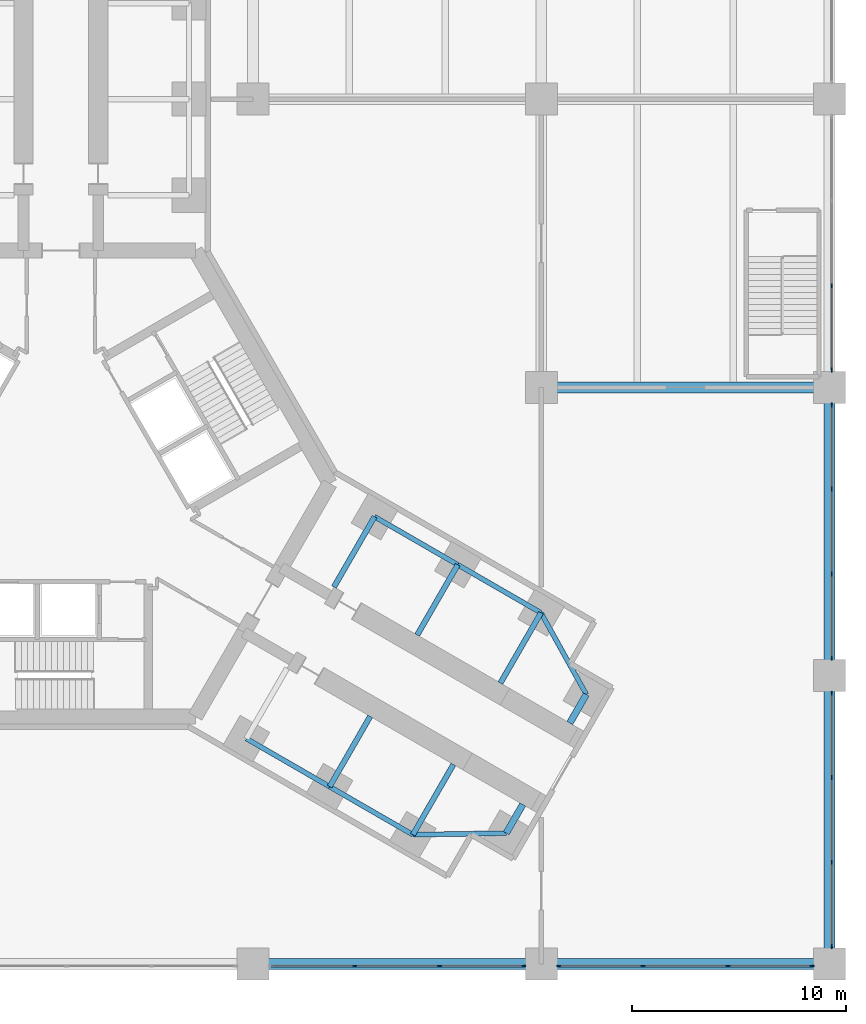
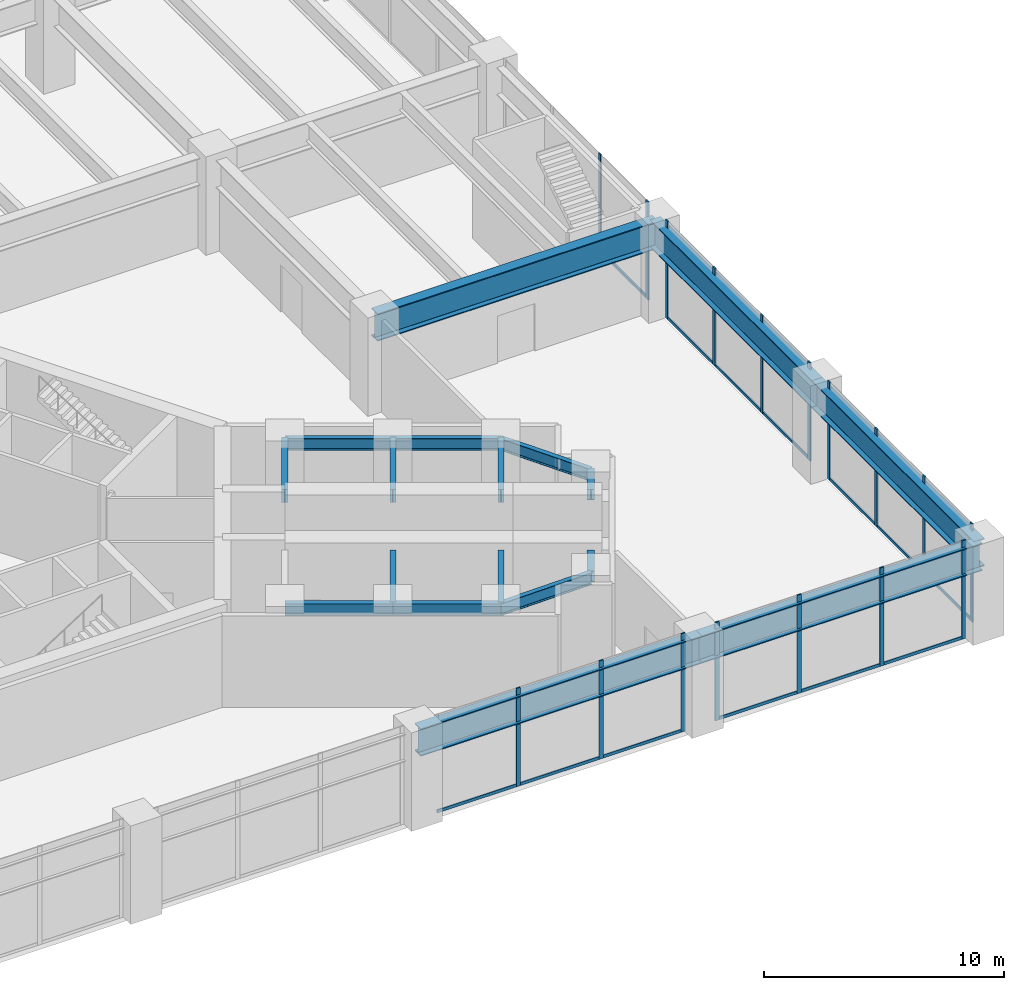
# One storey, part 10 of 32: 30 members, 18 beams, 5 elements without a shape of their own.
"""IFC4 building model written with IfcOpenShell, lengths in metres."""

from ifc_helpers import new_model, si_unit, direction, frame, origin, origin_2d, place, context, subcontext, project, spatial, rectangle, i_section, extrude, material, material_profile, profile_set, type_object, element, aggregate, save


model = new_model("IFC4")

# Units and contexts
model_context = context("Model", 3, precision=1e-05, world=origin(), true_north=direction((0.0, 1.0)))
body_context = subcontext(model_context, "Body", "Model", "MODEL_VIEW")
ifc_project = project(units=[si_unit("LENGTHUNIT", "METRE"), si_unit("AREAUNIT", "SQUARE_METRE"), si_unit("VOLUMEUNIT", "CUBIC_METRE"), si_unit("PLANEANGLEUNIT", "RADIAN"), si_unit("MASSUNIT", "GRAM", prefix="KILO")], contexts=[model_context])

# Site, building, storey
site_placement = place(None, origin())
site = spatial("IfcSite", under=ifc_project, at=site_placement, CompositionType="ELEMENT")
building_placement = place(site_placement, origin())
building = spatial("IfcBuilding", under=site, at=building_placement, Name="Upepo Twin Towers", CompositionType="ELEMENT")
storey_placement = place(building_placement, frame((0.0, 0.0, 10.5)))
storey = spatial("IfcBuildingStorey", under=building, at=storey_placement, Name="L02", CompositionType="ELEMENT", Elevation=10.5)

# Beams
ifc_material_1 = material(Name="Steel S355", Category="steel")
ifc_material_profile_1 = material_profile(ifc_material_1, i_section(OverallWidth=0.5, OverallDepth=1.39990234375, WebThickness=0.02490234375, FlangeThickness=0.050048828125, FilletRadius=0.008056640625, at=origin_2d()), Name="PG 1400x500x25x50")
ifc_profile_set_1 = profile_set([ifc_material_profile_1], Name="Steel S355")
beam_type_1 = type_object("IfcBeamType", Name="Beam PG 1400x500x25x50", PredefinedType="BEAM", material=ifc_profile_set_1)
for number, where, z_axis, x_axis, name in (
    (1, (67.5, -40.5, 3.949951171875), (1.0, 0.0, 0.0), (0.0, 1.0, 0.0), "Podium girder A/8-9"),
    (2, (81.0, -40.5, 3.949951171875), (1.0, 0.0, 0.0), (0.0, 1.0, 0.0), "Podium girder A/9-10"),
    (3, (81.0, -13.5, 3.949951171875), (1.0, 0.0, 0.0), (0.0, 1.0, 0.0), "Podium girder C/9-10"),
    (4, (94.5, -40.5, 3.949951171875), (0.0, 1.0, 0.0), (-1.0, 0.0, 0.0), "Podium girder 10/A-B"),
    (5, (94.5, -27.0, 3.949951171875), (0.0, 1.0, 0.0), (-1.0, 0.0, 0.0), "Podium girder 10/B-C"),
):
    element("IfcBeam", number, at=place(storey_placement, frame(where, z_axis=z_axis, x_axis=x_axis)), inside=storey, type_object=beam_type_1, Name=name, PredefinedType="BEAM", context=body_context, shape_type="SweptSolid", body=[
        extrude(i_section(OverallWidth=0.5, OverallDepth=1.39990234375, WebThickness=0.02490234375, FlangeThickness=0.050048828125, FilletRadius=0.008056640625, at=origin_2d()), origin(), (0.0, 0.0, 1.0), 13.5),
    ])
ifc_material_2 = material(Name="Steel S355", Category="steel")
ifc_material_profile_2 = material_profile(ifc_material_2, i_section(OverallWidth=0.31201171875, OverallDepth=0.54345703125, WebThickness=0.0126953125, FlangeThickness=0.020263671875, FilletRadius=0.0126953125, at=origin_2d()), Name="UB 533x312x150")
ifc_profile_set_2 = profile_set([ifc_material_profile_2], Name="Steel S355")
beam_type_2 = type_object("IfcBeamType", Name="Beam UB 533x312x150", PredefinedType="BEAM", material=ifc_profile_set_2)
for number, where, z_axis, x_axis, name in (
    (6, (83.108154296875, -27.87744140625, 4.378173828125), (-0.499967891604, -0.866043940782, 0.0), (0.866043940782, -0.499967891604, 0.0), "T2 nose beam CL"),
    (7, (79.358154296875, -34.37255859375, 4.378173828125), (0.499967891604, 0.866043940782, 0.0), (-0.866043940782, 0.499967891604, 0.0), "T2 nose beam CR"),
):
    element("IfcBeam", number, at=place(storey_placement, frame(where, z_axis=z_axis, x_axis=x_axis)), inside=storey, type_object=beam_type_2, Name=name, PredefinedType="BEAM", context=body_context, shape_type="SweptSolid", body=[
        extrude(i_section(OverallWidth=0.31201171875, OverallDepth=0.54345703125, WebThickness=0.0126953125, FlangeThickness=0.020263671875, FilletRadius=0.0126953125, at=origin_2d()), origin(), (0.0, 0.0, 1.0), 1.5498046875),
    ])
ifc_material_3 = material(Name="Steel S355", Category="steel")
ifc_material_profile_3 = material_profile(ifc_material_3, i_section(OverallWidth=0.228271484375, OverallDepth=0.607666015625, WebThickness=0.010986328125, FlangeThickness=0.017333984375, FilletRadius=0.0126953125, at=origin_2d()), Name="UB 610x229x113")
ifc_profile_set_3 = profile_set([ifc_material_profile_3], Name="Steel S355")
beam_type_3 = type_object("IfcBeamType", Name="Beam UB 610x229x113", PredefinedType="BEAM", material=ifc_profile_set_3)
beam_1_placement = place(storey_placement, frame((73.19140625, -19.553955078125, 4.34619140625), z_axis=(0.866017533419, -0.500013631625, 0.0), x_axis=(0.500013631625, 0.866017533419, 0.0)))
element("IfcBeam", 8, at=beam_1_placement, inside=storey, type_object=beam_type_3, Name="T2 edge beam CL 13.5-18.0", PredefinedType="BEAM", context=body_context, shape_type="SweptSolid", body=[
    extrude(i_section(OverallWidth=0.228271484375, OverallDepth=0.607666015625, WebThickness=0.010986328125, FlangeThickness=0.017333984375, FilletRadius=0.0126953125, at=origin_2d()), origin(), (0.0, 0.0, 1.0), 4.499755859375),
])
beam_2_placement = place(storey_placement, frame((77.08837890625, -21.803955078125, 4.34619140625), z_axis=(0.866031096941, -0.499990139034, 0.0), x_axis=(0.499990139034, 0.866031096941, 0.0)))
element("IfcBeam", 9, at=beam_2_placement, inside=storey, type_object=beam_type_3, Name="T2 edge beam CL 18.0-22.5", PredefinedType="BEAM", context=body_context, shape_type="SweptSolid", body=[
    extrude(i_section(OverallWidth=0.228271484375, OverallDepth=0.607666015625, WebThickness=0.010986328125, FlangeThickness=0.017333984375, FilletRadius=0.0126953125, at=origin_2d()), origin(), (0.0, 0.0, 1.0), 4.5),
])
beam_3_placement = place(storey_placement, frame((80.985595703125, -24.053955078125, 4.34619140625), z_axis=(0.485363242752, -0.874312600038, 0.0), x_axis=(0.874312600038, 0.485363242752, 0.0)))
element("IfcBeam", 10, at=beam_3_placement, inside=storey, type_object=beam_type_3, Name="T2 nose edge beam CL", PredefinedType="BEAM", context=body_context, shape_type="SweptSolid", body=[
    extrude(i_section(OverallWidth=0.228271484375, OverallDepth=0.607666015625, WebThickness=0.010986328125, FlangeThickness=0.017333984375, FilletRadius=0.0126953125, at=origin_2d()), origin(), (0.0, 0.0, 1.0), 4.373046875),
])
beam_4_placement = place(storey_placement, frame((67.19140625, -29.946044921875, 4.34619140625), z_axis=(0.866017533419, -0.500013631625, 0.0), x_axis=(0.500013631625, 0.866017533419, 0.0)))
element("IfcBeam", 11, at=beam_4_placement, inside=storey, type_object=beam_type_3, Name="T2 edge beam CR 13.5-18.0", PredefinedType="BEAM", context=body_context, shape_type="SweptSolid", body=[
    extrude(i_section(OverallWidth=0.228271484375, OverallDepth=0.607666015625, WebThickness=0.010986328125, FlangeThickness=0.017333984375, FilletRadius=0.0126953125, at=origin_2d()), origin(), (0.0, 0.0, 1.0), 4.499755859375),
])
beam_5_placement = place(storey_placement, frame((71.08837890625, -32.196044921875, 4.34619140625), z_axis=(0.866031096941, -0.499990139034, 0.0), x_axis=(0.499990139034, 0.866031096941, 0.0)))
element("IfcBeam", 12, at=beam_5_placement, inside=storey, type_object=beam_type_3, Name="T2 edge beam CR 18.0-22.5", PredefinedType="BEAM", context=body_context, shape_type="SweptSolid", body=[
    extrude(i_section(OverallWidth=0.228271484375, OverallDepth=0.607666015625, WebThickness=0.010986328125, FlangeThickness=0.017333984375, FilletRadius=0.0126953125, at=origin_2d()), origin(), (0.0, 0.0, 1.0), 4.5),
])
beam_6_placement = place(storey_placement, frame((74.985595703125, -34.446044921875, 4.34619140625), z_axis=(0.999858804832, 0.016803880528, 0.0), x_axis=(-0.016803880528, 0.999858804832, 0.0)))
element("IfcBeam", 13, at=beam_6_placement, inside=storey, type_object=beam_type_3, Name="T2 nose edge beam CR", PredefinedType="BEAM", context=body_context, shape_type="SweptSolid", body=[
    extrude(i_section(OverallWidth=0.228271484375, OverallDepth=0.607666015625, WebThickness=0.010986328125, FlangeThickness=0.017333984375, FilletRadius=0.0126953125, at=origin_2d()), origin(), (0.0, 0.0, 1.0), 4.373291015625),
])
ifc_material_4 = material(Name="Steel S355", Category="steel")
ifc_material_profile_4 = material_profile(ifc_material_4, i_section(OverallWidth=0.253662109375, OverallDepth=0.68359375, WebThickness=0.012451171875, FlangeThickness=0.01904296875, FilletRadius=0.01513671875, at=origin_2d()), Name="UB 686x254x140")
ifc_profile_set_4 = profile_set([ifc_material_profile_4], Name="Steel S355")
beam_type_4 = type_object("IfcBeamType", Name="Beam UB 686x254x140", PredefinedType="BEAM", material=ifc_profile_set_4)
beam_7_placement = place(storey_placement, frame((73.19140625, -19.553955078125, 4.308349609375), z_axis=(-0.500043160704, -0.866000483506, 0.0), x_axis=(0.866000483506, -0.500043160704, 0.0)))
element("IfcBeam", 14, at=beam_7_placement, inside=storey, type_object=beam_type_4, Name="T2 girder CL at 13.5", PredefinedType="BEAM", context=body_context, shape_type="SweptSolid", body=[
    extrude(i_section(OverallWidth=0.253662109375, OverallDepth=0.68359375, WebThickness=0.012451171875, FlangeThickness=0.01904296875, FilletRadius=0.01513671875, at=origin_2d()), origin(), (0.0, 0.0, 1.0), 3.800048828125),
])
for number, where, z_axis, x_axis, name in (
    (15, (77.08837890625, -21.803955078125, 4.308349609375), (-0.499994975061, -0.866028304915, 0.0), (0.866028304915, -0.499994975061, 0.0), "T2 girder CL at 18.0"),
    (16, (80.985595703125, -24.053955078125, 4.308349609375), (-0.499994975061, -0.866028304915, 0.0), (0.866028304915, -0.499994975061, 0.0), "T2 girder CL at 22.5"),
):
    element("IfcBeam", number, at=place(storey_placement, frame(where, z_axis=z_axis, x_axis=x_axis)), inside=storey, type_object=beam_type_4, Name=name, PredefinedType="BEAM", context=body_context, shape_type="SweptSolid", body=[
        extrude(i_section(OverallWidth=0.253662109375, OverallDepth=0.68359375, WebThickness=0.012451171875, FlangeThickness=0.01904296875, FilletRadius=0.01513671875, at=origin_2d()), origin(), (0.0, 0.0, 1.0), 3.7998046875),
    ])
beam_8_placement = place(storey_placement, frame((71.08837890625, -32.196044921875, 4.308349609375), z_axis=(0.500043160704, 0.866000483506, 0.0), x_axis=(-0.866000483506, 0.500043160704, 0.0)))
element("IfcBeam", 17, at=beam_8_placement, inside=storey, type_object=beam_type_4, Name="T2 girder CR at 18.0", PredefinedType="BEAM", context=body_context, shape_type="SweptSolid", body=[
    extrude(i_section(OverallWidth=0.253662109375, OverallDepth=0.68359375, WebThickness=0.012451171875, FlangeThickness=0.01904296875, FilletRadius=0.01513671875, at=origin_2d()), origin(), (0.0, 0.0, 1.0), 3.800048828125),
])
beam_9_placement = place(storey_placement, frame((74.985595703125, -34.446044921875, 4.308349609375), z_axis=(0.499994975061, 0.866028304915, 0.0), x_axis=(-0.866028304915, 0.499994975061, 0.0)))
element("IfcBeam", 18, at=beam_9_placement, inside=storey, type_object=beam_type_4, Name="T2 girder CR at 22.5", PredefinedType="BEAM", context=body_context, shape_type="SweptSolid", body=[
    extrude(i_section(OverallWidth=0.253662109375, OverallDepth=0.68359375, WebThickness=0.012451171875, FlangeThickness=0.01904296875, FilletRadius=0.01513671875, at=origin_2d()), origin(), (0.0, 0.0, 1.0), 3.7998046875),
])

# Curtain wall, members
ifc_material_5 = material(Name="Aluminium and clear glass", Category="aluminium")
curtain_wall_type = type_object("IfcCurtainWallType", Name="Podium curtain wall PW1", PredefinedType="NOTDEFINED", material=ifc_material_5)
curtain_wall_1_placement = place(storey_placement, origin())
curtain_wall_1 = element("IfcCurtainWall", 19, at=curtain_wall_1_placement, inside=storey, type_object=curtain_wall_type, Name="Podium L02 curtain wall S8", PredefinedType="NOTDEFINED")
ifc_material_6 = material(Name="Aluminium mullion", Category="aluminium")
ifc_material_profile_5 = material_profile(ifc_material_6, rectangle(XDim=0.06494140625, YDim=0.199951171875, at=origin_2d()), Name="MULLION 65x200 PODIUM")
ifc_profile_set_5 = profile_set([ifc_material_profile_5], Name="Aluminium mullion")
member_type_1 = type_object("IfcMemberType", Name="Mullion 65x200 PW1", PredefinedType="MULLION", material=ifc_profile_set_5)
member_1_placement = place(storey_placement, frame((72.26171875, -40.60009765625, 0.0), z_axis=(0.0, 0.0, 1.0), x_axis=(0.0, 1.0, 0.0)))
member_1 = element("IfcMember", 20, at=member_1_placement, type_object=member_type_1, Name="Podium L02 curtain wall S8 mullion 2", PredefinedType="MULLION", context=body_context, shape_type="SweptSolid", body=[
    extrude(rectangle(XDim=0.06494140625, YDim=0.199951171875, at=origin_2d()), origin(), (0.0, 0.0, 1.0), 5.0),
])
member_2_placement = place(storey_placement, frame((76.23828125, -40.60009765625, 0.0), z_axis=(0.0, 0.0, 1.0), x_axis=(0.0, 1.0, 0.0)))
member_2 = element("IfcMember", 21, at=member_2_placement, type_object=member_type_1, Name="Podium L02 curtain wall S8 mullion 3", PredefinedType="MULLION", context=body_context, shape_type="SweptSolid", body=[
    extrude(rectangle(XDim=0.06494140625, YDim=0.199951171875, at=origin_2d()), origin(), (0.0, 0.0, 1.0), 5.0),
])
member_3_placement = place(storey_placement, frame((80.1826171875, -40.60009765625, 0.0), z_axis=(0.0, 0.0, 1.0), x_axis=(0.0, 1.0, 0.0)))
member_3 = element("IfcMember", 22, at=member_3_placement, type_object=member_type_1, Name="Podium L02 curtain wall S8 mullion 4", PredefinedType="MULLION", context=body_context, shape_type="SweptSolid", body=[
    extrude(rectangle(XDim=0.06494140625, YDim=0.199951171875, at=origin_2d()), origin(), (0.0, 0.0, 1.0), 5.0),
])

curtain_wall_2_placement = place(storey_placement, origin())
curtain_wall_2 = element("IfcCurtainWall", 23, at=curtain_wall_2_placement, inside=storey, type_object=curtain_wall_type, Name="Podium L02 curtain wall S9", PredefinedType="NOTDEFINED")
member_4_placement = place(storey_placement, frame((81.8173828125, -40.60009765625, 0.0), z_axis=(0.0, 0.0, 1.0), x_axis=(0.0, 1.0, 0.0)))
member_4 = element("IfcMember", 24, at=member_4_placement, type_object=member_type_1, Name="Podium L02 curtain wall S9 mullion 1", PredefinedType="MULLION", context=body_context, shape_type="SweptSolid", body=[
    extrude(rectangle(XDim=0.06494140625, YDim=0.199951171875, at=origin_2d()), origin(), (0.0, 0.0, 1.0), 5.0),
])
member_5_placement = place(storey_placement, frame((85.76171875, -40.60009765625, 0.0), z_axis=(0.0, 0.0, 1.0), x_axis=(0.0, 1.0, 0.0)))
member_5 = element("IfcMember", 25, at=member_5_placement, type_object=member_type_1, Name="Podium L02 curtain wall S9 mullion 2", PredefinedType="MULLION", context=body_context, shape_type="SweptSolid", body=[
    extrude(rectangle(XDim=0.06494140625, YDim=0.199951171875, at=origin_2d()), origin(), (0.0, 0.0, 1.0), 5.0),
])
member_6_placement = place(storey_placement, frame((89.73828125, -40.60009765625, 0.0), z_axis=(0.0, 0.0, 1.0), x_axis=(0.0, 1.0, 0.0)))
member_6 = element("IfcMember", 26, at=member_6_placement, type_object=member_type_1, Name="Podium L02 curtain wall S9 mullion 3", PredefinedType="MULLION", context=body_context, shape_type="SweptSolid", body=[
    extrude(rectangle(XDim=0.06494140625, YDim=0.199951171875, at=origin_2d()), origin(), (0.0, 0.0, 1.0), 5.0),
])
member_7_placement = place(storey_placement, frame((93.6826171875, -40.60009765625, 0.0), z_axis=(0.0, 0.0, 1.0), x_axis=(0.0, 1.0, 0.0)))
member_7 = element("IfcMember", 27, at=member_7_placement, type_object=member_type_1, Name="Podium L02 curtain wall S9 mullion 4", PredefinedType="MULLION", context=body_context, shape_type="SweptSolid", body=[
    extrude(rectangle(XDim=0.06494140625, YDim=0.199951171875, at=origin_2d()), origin(), (0.0, 0.0, 1.0), 5.0),
])

curtain_wall_3_placement = place(storey_placement, origin())
curtain_wall_3 = element("IfcCurtainWall", 28, at=curtain_wall_3_placement, inside=storey, type_object=curtain_wall_type, Name="Podium L02 curtain wall E1", PredefinedType="NOTDEFINED")
member_8_placement = place(storey_placement, frame((94.60009765625, -39.6826171875, 0.0), z_axis=(0.0, 0.0, 1.0), x_axis=(-1.0, 0.0, 0.0)))
member_8 = element("IfcMember", 29, at=member_8_placement, type_object=member_type_1, Name="Podium L02 curtain wall E1 mullion 1", PredefinedType="MULLION", context=body_context, shape_type="SweptSolid", body=[
    extrude(rectangle(XDim=0.06494140625, YDim=0.199951171875, at=origin_2d()), origin(), (0.0, 0.0, 1.0), 5.0),
])
member_9_placement = place(storey_placement, frame((94.60009765625, -35.73828125, 0.0), z_axis=(0.0, 0.0, 1.0), x_axis=(-1.0, 0.0, 0.0)))
member_9 = element("IfcMember", 30, at=member_9_placement, type_object=member_type_1, Name="Podium L02 curtain wall E1 mullion 2", PredefinedType="MULLION", context=body_context, shape_type="SweptSolid", body=[
    extrude(rectangle(XDim=0.06494140625, YDim=0.199951171875, at=origin_2d()), origin(), (0.0, 0.0, 1.0), 5.0),
])
member_10_placement = place(storey_placement, frame((94.60009765625, -31.76171875, 0.0), z_axis=(0.0, 0.0, 1.0), x_axis=(-1.0, 0.0, 0.0)))
member_10 = element("IfcMember", 31, at=member_10_placement, type_object=member_type_1, Name="Podium L02 curtain wall E1 mullion 3", PredefinedType="MULLION", context=body_context, shape_type="SweptSolid", body=[
    extrude(rectangle(XDim=0.06494140625, YDim=0.199951171875, at=origin_2d()), origin(), (0.0, 0.0, 1.0), 5.0),
])
member_11_placement = place(storey_placement, frame((94.60009765625, -27.8173828125, 0.0), z_axis=(0.0, 0.0, 1.0), x_axis=(-1.0, 0.0, 0.0)))
member_11 = element("IfcMember", 32, at=member_11_placement, type_object=member_type_1, Name="Podium L02 curtain wall E1 mullion 4", PredefinedType="MULLION", context=body_context, shape_type="SweptSolid", body=[
    extrude(rectangle(XDim=0.06494140625, YDim=0.199951171875, at=origin_2d()), origin(), (0.0, 0.0, 1.0), 5.0),
])

curtain_wall_4_placement = place(storey_placement, origin())
curtain_wall_4 = element("IfcCurtainWall", 33, at=curtain_wall_4_placement, inside=storey, type_object=curtain_wall_type, Name="Podium L02 curtain wall E2", PredefinedType="NOTDEFINED")
member_12_placement = place(storey_placement, frame((94.60009765625, -26.1826171875, 0.0), z_axis=(0.0, 0.0, 1.0), x_axis=(-1.0, 0.0, 0.0)))
member_12 = element("IfcMember", 34, at=member_12_placement, type_object=member_type_1, Name="Podium L02 curtain wall E2 mullion 1", PredefinedType="MULLION", context=body_context, shape_type="SweptSolid", body=[
    extrude(rectangle(XDim=0.06494140625, YDim=0.199951171875, at=origin_2d()), origin(), (0.0, 0.0, 1.0), 5.0),
])
member_13_placement = place(storey_placement, frame((94.60009765625, -22.23828125, 0.0), z_axis=(0.0, 0.0, 1.0), x_axis=(-1.0, 0.0, 0.0)))
member_13 = element("IfcMember", 35, at=member_13_placement, type_object=member_type_1, Name="Podium L02 curtain wall E2 mullion 2", PredefinedType="MULLION", context=body_context, shape_type="SweptSolid", body=[
    extrude(rectangle(XDim=0.06494140625, YDim=0.199951171875, at=origin_2d()), origin(), (0.0, 0.0, 1.0), 5.0),
])
member_14_placement = place(storey_placement, frame((94.60009765625, -18.26171875, 0.0), z_axis=(0.0, 0.0, 1.0), x_axis=(-1.0, 0.0, 0.0)))
member_14 = element("IfcMember", 36, at=member_14_placement, type_object=member_type_1, Name="Podium L02 curtain wall E2 mullion 3", PredefinedType="MULLION", context=body_context, shape_type="SweptSolid", body=[
    extrude(rectangle(XDim=0.06494140625, YDim=0.199951171875, at=origin_2d()), origin(), (0.0, 0.0, 1.0), 5.0),
])
member_15_placement = place(storey_placement, frame((94.60009765625, -14.3173828125, 0.0), z_axis=(0.0, 0.0, 1.0), x_axis=(-1.0, 0.0, 0.0)))
member_15 = element("IfcMember", 37, at=member_15_placement, type_object=member_type_1, Name="Podium L02 curtain wall E2 mullion 4", PredefinedType="MULLION", context=body_context, shape_type="SweptSolid", body=[
    extrude(rectangle(XDim=0.06494140625, YDim=0.199951171875, at=origin_2d()), origin(), (0.0, 0.0, 1.0), 5.0),
])

curtain_wall_5_placement = place(storey_placement, origin())
curtain_wall_5 = element("IfcCurtainWall", 38, at=curtain_wall_5_placement, inside=storey, type_object=curtain_wall_type, Name="Podium L02 curtain wall E3", PredefinedType="NOTDEFINED")
member_16_placement = place(storey_placement, frame((94.60009765625, -12.6826171875, 0.0), z_axis=(0.0, 0.0, 1.0), x_axis=(-1.0, 0.0, 0.0)))
member_16 = element("IfcMember", 39, at=member_16_placement, type_object=member_type_1, Name="Podium L02 curtain wall E3 mullion 1", PredefinedType="MULLION", context=body_context, shape_type="SweptSolid", body=[
    extrude(rectangle(XDim=0.06494140625, YDim=0.199951171875, at=origin_2d()), origin(), (0.0, 0.0, 1.0), 5.0),
])
member_17_placement = place(storey_placement, frame((94.60009765625, -8.73828125, 0.0), z_axis=(0.0, 0.0, 1.0), x_axis=(-1.0, 0.0, 0.0)))
member_17 = element("IfcMember", 40, at=member_17_placement, type_object=member_type_1, Name="Podium L02 curtain wall E3 mullion 2", PredefinedType="MULLION", context=body_context, shape_type="SweptSolid", body=[
    extrude(rectangle(XDim=0.06494140625, YDim=0.199951171875, at=origin_2d()), origin(), (0.0, 0.0, 1.0), 5.0),
])

# Member
ifc_material_7 = material(Name="Aluminium transom", Category="aluminium")
ifc_material_profile_6 = material_profile(ifc_material_7, rectangle(XDim=0.06494140625, YDim=0.14990234375, at=origin_2d()), Name="TRANSOM 65x150 PODIUM")
ifc_profile_set_6 = profile_set([ifc_material_profile_6], Name="Aluminium transom")
member_type_2 = type_object("IfcMemberType", Name="Transom 65x150 PW1", PredefinedType="USERDEFINED", material=ifc_profile_set_6)
member_18_placement = place(storey_placement, frame((68.35009765625, -40.60009765625, 0.074951171875), z_axis=(1.0, 0.0, 0.0), x_axis=(0.0, 1.0, 0.0)))
member_18 = element("IfcMember", 41, at=member_18_placement, type_object=member_type_2, Name="Podium L02 curtain wall S8 transom 1", ObjectType="TRANSOM", PredefinedType="USERDEFINED", context=body_context, shape_type="SweptSolid", body=[
    extrude(rectangle(XDim=0.06494140625, YDim=0.14990234375, at=origin_2d()), origin(), (0.0, 0.0, 1.0), 3.879150390625),
])

member_19_placement = place(storey_placement, frame((72.294189453125, -40.60009765625, 0.074951171875), z_axis=(1.0, 0.0, 0.0), x_axis=(0.0, 1.0, 0.0)))
member_19 = element("IfcMember", 42, at=member_19_placement, type_object=member_type_2, Name="Podium L02 curtain wall S8 transom 2", ObjectType="TRANSOM", PredefinedType="USERDEFINED", context=body_context, shape_type="SweptSolid", body=[
    extrude(rectangle(XDim=0.06494140625, YDim=0.14990234375, at=origin_2d()), origin(), (0.0, 0.0, 1.0), 3.91162109375),
])

member_20_placement = place(storey_placement, frame((76.270751953125, -40.60009765625, 0.074951171875), z_axis=(1.0, 0.0, 0.0), x_axis=(0.0, 1.0, 0.0)))
member_20 = element("IfcMember", 43, at=member_20_placement, type_object=member_type_2, Name="Podium L02 curtain wall S8 transom 3", ObjectType="TRANSOM", PredefinedType="USERDEFINED", context=body_context, shape_type="SweptSolid", body=[
    extrude(rectangle(XDim=0.06494140625, YDim=0.14990234375, at=origin_2d()), origin(), (0.0, 0.0, 1.0), 3.879150390625),
])

aggregate(curtain_wall_1, [member_1, member_2, member_3, member_18, member_19, member_20])

member_21_placement = place(storey_placement, frame((81.85009765625, -40.60009765625, 0.074951171875), z_axis=(1.0, 0.0, 0.0), x_axis=(0.0, 1.0, 0.0)))
member_21 = element("IfcMember", 44, at=member_21_placement, type_object=member_type_2, Name="Podium L02 curtain wall S9 transom 1", ObjectType="TRANSOM", PredefinedType="USERDEFINED", context=body_context, shape_type="SweptSolid", body=[
    extrude(rectangle(XDim=0.06494140625, YDim=0.14990234375, at=origin_2d()), origin(), (0.0, 0.0, 1.0), 3.879150390625),
])

member_22_placement = place(storey_placement, frame((85.794189453125, -40.60009765625, 0.074951171875), z_axis=(1.0, 0.0, 0.0), x_axis=(0.0, 1.0, 0.0)))
member_22 = element("IfcMember", 45, at=member_22_placement, type_object=member_type_2, Name="Podium L02 curtain wall S9 transom 2", ObjectType="TRANSOM", PredefinedType="USERDEFINED", context=body_context, shape_type="SweptSolid", body=[
    extrude(rectangle(XDim=0.06494140625, YDim=0.14990234375, at=origin_2d()), origin(), (0.0, 0.0, 1.0), 3.91162109375),
])

member_23_placement = place(storey_placement, frame((89.770751953125, -40.60009765625, 0.074951171875), z_axis=(1.0, 0.0, 0.0), x_axis=(0.0, 1.0, 0.0)))
member_23 = element("IfcMember", 46, at=member_23_placement, type_object=member_type_2, Name="Podium L02 curtain wall S9 transom 3", ObjectType="TRANSOM", PredefinedType="USERDEFINED", context=body_context, shape_type="SweptSolid", body=[
    extrude(rectangle(XDim=0.06494140625, YDim=0.14990234375, at=origin_2d()), origin(), (0.0, 0.0, 1.0), 3.879150390625),
])

aggregate(curtain_wall_2, [member_4, member_5, member_6, member_7, member_21, member_22, member_23])

member_24_placement = place(storey_placement, frame((94.60009765625, -39.64990234375, 0.074951171875), z_axis=(0.0, 1.0, 0.0), x_axis=(-1.0, 0.0, 0.0)))
member_24 = element("IfcMember", 47, at=member_24_placement, type_object=member_type_2, Name="Podium L02 curtain wall E1 transom 1", ObjectType="TRANSOM", PredefinedType="USERDEFINED", context=body_context, shape_type="SweptSolid", body=[
    extrude(rectangle(XDim=0.06494140625, YDim=0.14990234375, at=origin_2d()), origin(), (0.0, 0.0, 1.0), 3.879150390625),
])

member_25_placement = place(storey_placement, frame((94.60009765625, -35.705810546875, 0.074951171875), z_axis=(0.0, 1.0, 0.0), x_axis=(-1.0, 0.0, 0.0)))
member_25 = element("IfcMember", 48, at=member_25_placement, type_object=member_type_2, Name="Podium L02 curtain wall E1 transom 2", ObjectType="TRANSOM", PredefinedType="USERDEFINED", context=body_context, shape_type="SweptSolid", body=[
    extrude(rectangle(XDim=0.06494140625, YDim=0.14990234375, at=origin_2d()), origin(), (0.0, 0.0, 1.0), 3.91162109375),
])

member_26_placement = place(storey_placement, frame((94.60009765625, -31.729248046875, 0.074951171875), z_axis=(0.0, 1.0, 0.0), x_axis=(-1.0, 0.0, 0.0)))
member_26 = element("IfcMember", 49, at=member_26_placement, type_object=member_type_2, Name="Podium L02 curtain wall E1 transom 3", ObjectType="TRANSOM", PredefinedType="USERDEFINED", context=body_context, shape_type="SweptSolid", body=[
    extrude(rectangle(XDim=0.06494140625, YDim=0.14990234375, at=origin_2d()), origin(), (0.0, 0.0, 1.0), 3.879150390625),
])

aggregate(curtain_wall_3, [member_8, member_9, member_10, member_11, member_24, member_25, member_26])

member_27_placement = place(storey_placement, frame((94.60009765625, -26.14990234375, 0.074951171875), z_axis=(0.0, 1.0, 0.0), x_axis=(-1.0, 0.0, 0.0)))
member_27 = element("IfcMember", 50, at=member_27_placement, type_object=member_type_2, Name="Podium L02 curtain wall E2 transom 1", ObjectType="TRANSOM", PredefinedType="USERDEFINED", context=body_context, shape_type="SweptSolid", body=[
    extrude(rectangle(XDim=0.06494140625, YDim=0.14990234375, at=origin_2d()), origin(), (0.0, 0.0, 1.0), 3.879150390625),
])

member_28_placement = place(storey_placement, frame((94.60009765625, -22.205810546875, 0.074951171875), z_axis=(0.0, 1.0, 0.0), x_axis=(-1.0, 0.0, 0.0)))
member_28 = element("IfcMember", 51, at=member_28_placement, type_object=member_type_2, Name="Podium L02 curtain wall E2 transom 2", ObjectType="TRANSOM", PredefinedType="USERDEFINED", context=body_context, shape_type="SweptSolid", body=[
    extrude(rectangle(XDim=0.06494140625, YDim=0.14990234375, at=origin_2d()), origin(), (0.0, 0.0, 1.0), 3.91162109375),
])

member_29_placement = place(storey_placement, frame((94.60009765625, -18.229248046875, 0.074951171875), z_axis=(0.0, 1.0, 0.0), x_axis=(-1.0, 0.0, 0.0)))
member_29 = element("IfcMember", 52, at=member_29_placement, type_object=member_type_2, Name="Podium L02 curtain wall E2 transom 3", ObjectType="TRANSOM", PredefinedType="USERDEFINED", context=body_context, shape_type="SweptSolid", body=[
    extrude(rectangle(XDim=0.06494140625, YDim=0.14990234375, at=origin_2d()), origin(), (0.0, 0.0, 1.0), 3.879150390625),
])

aggregate(curtain_wall_4, [member_12, member_13, member_14, member_15, member_27, member_28, member_29])

member_30_placement = place(storey_placement, frame((94.60009765625, -12.64990234375, 0.074951171875), z_axis=(0.0, 1.0, 0.0), x_axis=(-1.0, 0.0, 0.0)))
member_30 = element("IfcMember", 53, at=member_30_placement, type_object=member_type_2, Name="Podium L02 curtain wall E3 transom 1", ObjectType="TRANSOM", PredefinedType="USERDEFINED", context=body_context, shape_type="SweptSolid", body=[
    extrude(rectangle(XDim=0.06494140625, YDim=0.14990234375, at=origin_2d()), origin(), (0.0, 0.0, 1.0), 3.879150390625),
])

aggregate(curtain_wall_5, [member_16, member_17, member_30])

save(model, "model.ifc")
